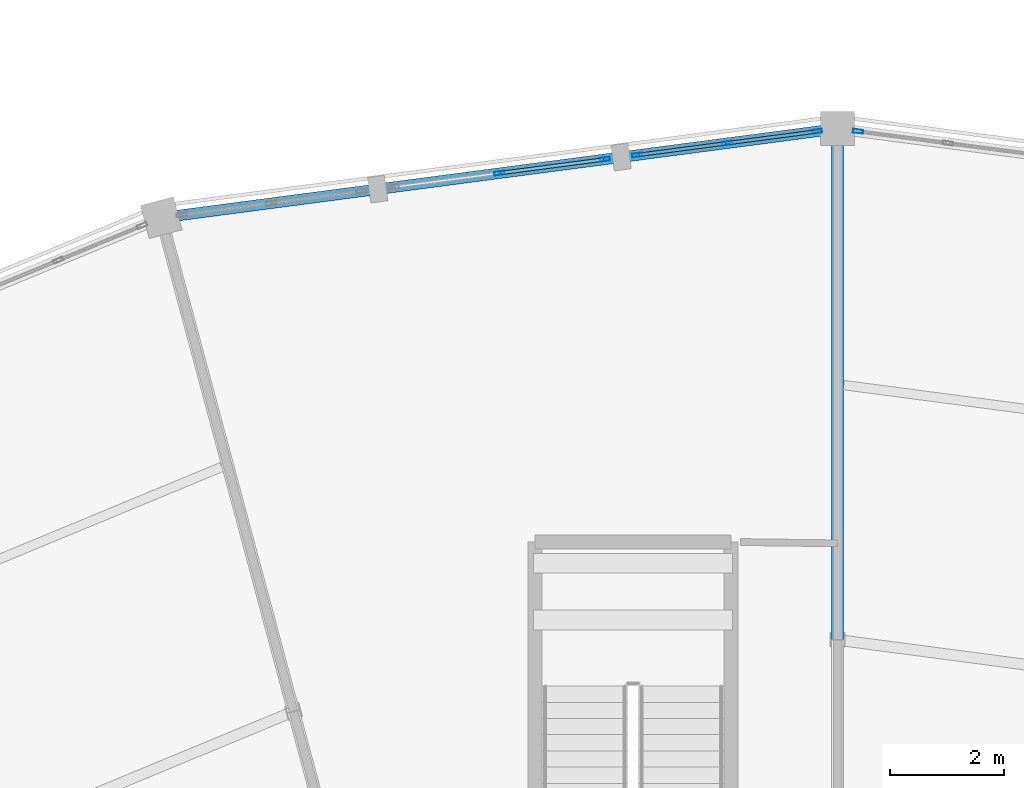
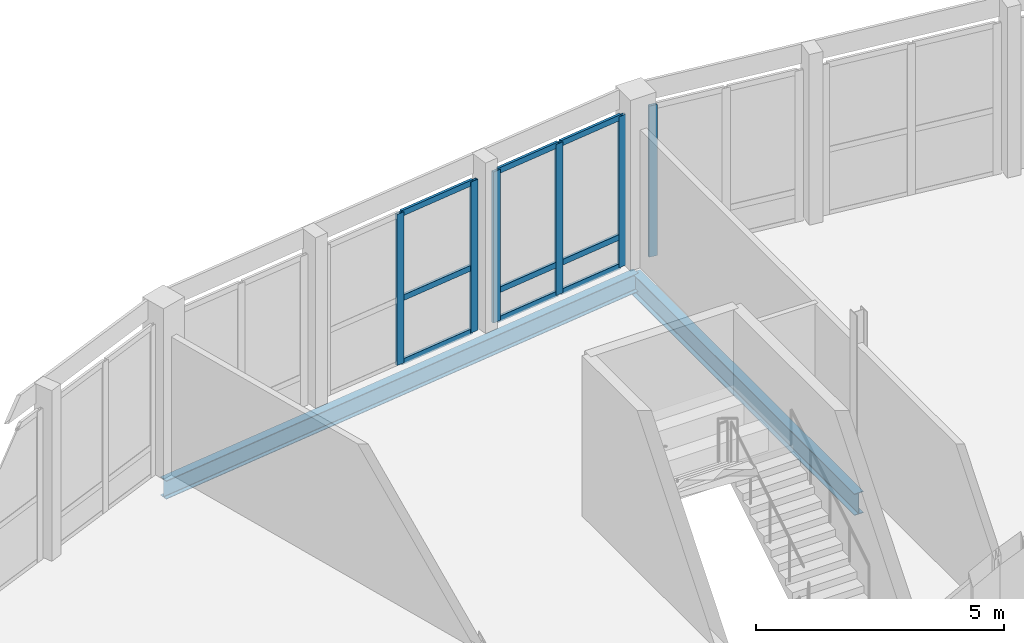
# One storey, part 94 of 185: 15 members, 2 beams, 3 elements without a shape of their own.
"""IFC4 building model written with IfcOpenShell, lengths in metres."""

import ifcopenshell
import ifcopenshell.guid

model = None  # the IFC model being written
_history = None  # IfcOwnerHistory: only IFC2X3 demands one
_inside = {}  # id of a spatial element -> (the spatial element, [elements in it])
_under = {}  # id of a project, library or spatial element -> (it, [spatial elements below it])
_declared = {}  # id of a project -> (the project, [libraries it declares])
_typed = {}  # id of a type object -> (the type object, [elements of that type])
_made_of = {}  # id of a material, layer set ... -> (it, [elements and type objects made of it])


def new_model(schema):
    """Start an empty IFC model of exactly this schema.

    Asked for "IFC4X3", IfcOpenShell would pick the latest addendum, in which some entities
    have other attributes; the version numbers below select the first issue.
    IFC2X3 requires an IfcOwnerHistory on every rooted entity: one is made here for all.
    """
    global model, _history
    if schema == "IFC4X3":
        model = ifcopenshell.file(schema_version=(4, 3, 0, 0))
    else:
        model = ifcopenshell.file(schema=schema)
    _inside.clear()
    _under.clear()
    _declared.clear()
    _typed.clear()
    _made_of.clear()
    _history = None
    if model.schema == "IFC2X3":
        org = make("IfcOrganization", Name="unknown")
        user = make(
            "IfcPersonAndOrganization",
            ThePerson=make("IfcPerson", FamilyName="unknown"),
            TheOrganization=org,
        )
        app = make(
            "IfcApplication",
            ApplicationDeveloper=org,
            Version="unknown",
            ApplicationFullName="unknown",
            ApplicationIdentifier="unknown",
        )
        _history = make(
            "IfcOwnerHistory",
            OwningUser=user,
            OwningApplication=app,
            ChangeAction="ADDED",
            CreationDate=0,
        )
    return model


def make(cls, **values):
    """One entity of the class cls with the attributes given. An attribute that is None is left unset."""
    return model.create_entity(
        cls, **{name: value for name, value in values.items() if value is not None}
    )


def rooted(cls, **values):
    """An entity with a GlobalId (a new one), such as an element, a storey or a relation."""
    return make(cls, GlobalId=ifcopenshell.guid.new(), OwnerHistory=_history, **values)


def si_unit(unit_type, name, prefix=None):
    """IfcSIUnit, for example si_unit("LENGTHUNIT", "METRE", prefix="MILLI")."""
    return make("IfcSIUnit", UnitType=unit_type, Prefix=prefix, Name=name)


def assignment(units):
    """IfcUnitAssignment: the units of a project."""
    return None if units is None else make("IfcUnitAssignment", Units=units)


def point(xyz):
    """IfcCartesianPoint."""
    return None if xyz is None else make("IfcCartesianPoint", Coordinates=xyz)


def direction(xyz):
    """IfcDirection."""
    return None if xyz is None else make("IfcDirection", DirectionRatios=xyz)


def frame(location, z_axis=None, x_axis=None):
    """IfcAxis2Placement3D, a coordinate frame: its origin and axes. An axis left out is left unset."""
    return make(
        "IfcAxis2Placement3D",
        Location=point(location),
        Axis=direction(z_axis),
        RefDirection=direction(x_axis),
    )


def frame_2d(location, x_axis=None):
    """IfcAxis2Placement2D, a coordinate frame in the plane: its origin and x axis."""
    return make(
        "IfcAxis2Placement2D", Location=point(location), RefDirection=direction(x_axis)
    )


def origin():
    """The frame at (0, 0, 0) with its axes left unset."""
    return frame((0.0, 0.0, 0.0))


def origin_2d():
    """The frame at (0, 0) in the plane with its x axis left unset."""
    return frame_2d((0.0, 0.0))


def place(relative_to, where):
    """IfcLocalPlacement: puts the frame where relative to a parent placement (None: the world)."""
    return make(
        "IfcLocalPlacement", PlacementRelTo=relative_to, RelativePlacement=where
    )


def context(
    kind, dimensions, precision=None, world=None, true_north=None, identifier=None
):
    """IfcGeometricRepresentationContext, for example the 3D "Model" context."""
    return make(
        "IfcGeometricRepresentationContext",
        ContextIdentifier=identifier,
        ContextType=kind,
        CoordinateSpaceDimension=dimensions,
        Precision=precision,
        WorldCoordinateSystem=world,
        TrueNorth=true_north,
    )


def subcontext(parent, identifier, kind, view, scale=None):
    """IfcGeometricRepresentationSubContext, for example "Body" below "Model"."""
    return make(
        "IfcGeometricRepresentationSubContext",
        ContextIdentifier=identifier,
        ContextType=kind,
        ParentContext=parent,
        TargetScale=scale,
        TargetView=view,
    )


def project(units=None, contexts=None):
    """IfcProject with its units and contexts."""
    return rooted(
        "IfcProject",
        Name="project",
        RepresentationContexts=contexts,
        UnitsInContext=assignment(units),
    )


def spatial(cls, under=None, at=None, **own):
    """A site, building, storey or space (cls), placed at a placement, below another one or the project."""
    s = rooted(cls, ObjectPlacement=at, **own)
    if under is not None:
        _under.setdefault(under.id(), (under, []))[1].append(s)
    return s


def profile(cls, at=None, kind="AREA", **sizes):
    """A parametric profile (cls). Its sizes go by their IFC names, for example OverallWidth=200.0."""
    return make(cls, ProfileType=kind, Position=at, **sizes)


def hollow_rectangle(**sizes):
    """IfcRectangleHollowProfileDef."""
    return profile("IfcRectangleHollowProfileDef", **sizes)


def i_section(**sizes):
    """IfcIShapeProfileDef."""
    return profile("IfcIShapeProfileDef", **sizes)


def extrude(swept, where, along, depth):
    """IfcExtrudedAreaSolid: the profile swept, set in the frame where, extruded along a direction by depth."""
    return make(
        "IfcExtrudedAreaSolid",
        SweptArea=swept,
        Position=where,
        ExtrudedDirection=direction(along),
        Depth=depth,
    )


def shape(context_of_items, identifier, shape_type, items):
    """IfcShapeRepresentation: the items that make up one representation, for example the "Body"."""
    return make(
        "IfcShapeRepresentation",
        ContextOfItems=context_of_items,
        RepresentationIdentifier=identifier,
        RepresentationType=shape_type,
        Items=items,
    )


def material(Name=None, Category=None):
    """IfcMaterial."""
    return make("IfcMaterial", Name=Name, Category=Category)


def material_profile(
    of_material, cross_section, Name=None, Category=None, Priority=None
):
    """IfcMaterialProfile: a cross section and its material."""
    return make(
        "IfcMaterialProfile",
        Name=Name,
        Material=of_material,
        Profile=cross_section,
        Priority=Priority,
        Category=Category,
    )


def profile_set(profiles, Name=None, composite=None):
    """IfcMaterialProfileSet."""
    return make(
        "IfcMaterialProfileSet",
        Name=Name,
        MaterialProfiles=profiles,
        CompositeProfile=composite,
    )


def made_of(thing, what):
    """Note that an element or type object is made of a material, layer set ...; save() writes the relation."""
    if what is not None:
        _made_of.setdefault(what.id(), (what, []))[1].append(thing)
    return thing


def type_object(cls, material=None, **own):
    """A type object (cls), such as IfcWallType, which elements share."""
    return made_of(rooted(cls, **own), material)


def element(
    cls,
    number,
    at=None,
    inside=None,
    cuts=None,
    type_object=None,
    material=None,
    context=None,
    identifier="Body",
    shape_type=None,
    held_by="IfcProductDefinitionShape",
    body=None,
    shapes=None,
    **own,
):
    """One element of the class cls, such as IfcWall. Its Tag is "e" and its number.

    at: its placement. inside: the storey or other place that contains it. cuts: it is an
    opening in that element (IfcRelVoidsElement). A single representation is given by context,
    identifier, shape_type and body (its items); several are given by shapes. held_by: the class
    of the entity that holds the representations. save() writes the other relations.
    """
    e = rooted(cls, Tag="e%d" % number, ObjectPlacement=at, **own)
    if body is not None:
        shapes = [shape(context, identifier, shape_type, body)]
    if shapes is not None:
        e.Representation = make(held_by, Representations=shapes)
    if inside is not None:
        _inside.setdefault(inside.id(), (inside, []))[1].append(e)
    if cuts is not None:
        rooted(
            "IfcRelVoidsElement", RelatingBuildingElement=cuts, RelatedOpeningElement=e
        )
    if type_object is not None:
        _typed.setdefault(type_object.id(), (type_object, []))[1].append(e)
    return made_of(e, material)


def aggregate(whole, parts):
    """IfcRelAggregates: a whole, such as a stair, and the parts it consists of."""
    return rooted("IfcRelAggregates", RelatingObject=whole, RelatedObjects=parts)


def save(model, path):
    """Write the relations noted so far, then the file.

    IfcRelAggregates (storeys below a building ...), IfcRelContainedInSpatialStructure (elements
    in a storey), IfcRelDefinesByType, IfcRelAssociatesMaterial and IfcRelDeclares: one each for
    every whole, place, type object, material and project.
    """
    for whole, parts in _under.values():
        aggregate(whole, parts)
    for where, things in _inside.values():
        rooted(
            "IfcRelContainedInSpatialStructure",
            RelatedElements=things,
            RelatingStructure=where,
        )
    for kind, things in _typed.values():
        rooted("IfcRelDefinesByType", RelatedObjects=things, RelatingType=kind)
    for what, things in _made_of.values():
        rooted("IfcRelAssociatesMaterial", RelatedObjects=things, RelatingMaterial=what)
    for by, libraries in _declared.values():
        rooted("IfcRelDeclares", RelatingContext=by, RelatedDefinitions=libraries)
    model.write(path)


model = new_model("IFC4")

# Units and contexts
model_context = context("Model", 3, precision=1e-05, world=origin(), true_north=direction((0.0, 1.0)))
body_context = subcontext(model_context, "Body", "Model", "MODEL_VIEW")
ifc_project = project(units=[si_unit("LENGTHUNIT", "METRE"), si_unit("AREAUNIT", "SQUARE_METRE"), si_unit("VOLUMEUNIT", "CUBIC_METRE"), si_unit("PLANEANGLEUNIT", "RADIAN"), si_unit("MASSUNIT", "GRAM", prefix="KILO")], contexts=[model_context])

# Site, building, storey
site_placement = place(None, origin())
site = spatial("IfcSite", under=ifc_project, at=site_placement, CompositionType="ELEMENT")
building_placement = place(site_placement, origin())
building = spatial("IfcBuilding", under=site, at=building_placement, Name="Vondelvale Polytechnic", CompositionType="ELEMENT")
storey_placement = place(building_placement, frame((0.0, 0.0, 9.60009765625)))
storey = spatial("IfcBuildingStorey", under=building, at=storey_placement, Name="L02", CompositionType="ELEMENT", Elevation=9.60009765625)

# Beams
ifc_material_1 = material(Name="Steel 300PLUS (fy = 300 MPa)", Category="steel")
ifc_material_profile_1 = material_profile(ifc_material_1, i_section(OverallWidth=0.18994140625, OverallDepth=0.45703125, WebThickness=0.009033203125, FlangeThickness=0.014404296875, FilletRadius=0.011474609375, at=origin_2d()), Name="460UB74.6")
ifc_profile_set_1 = profile_set([ifc_material_profile_1], Name="Steel 300PLUS (fy = 300 MPa)")
beam_type_1 = type_object("IfcBeamType", Name="BM-UB460", PredefinedType="BEAM", material=ifc_profile_set_1)
beam_1_placement = place(storey_placement, frame((102.0, 118.0, -0.508544921875), z_axis=(-0.991445297315, -0.130522880875, 0.0), x_axis=(0.130522880875, -0.991445297315, 0.0)))
element("IfcBeam", 1, at=beam_1_placement, inside=storey, type_object=beam_type_1, Name="L02 RB B-13", PredefinedType="BEAM", context=body_context, shape_type="SweptSolid", body=[
    extrude(i_section(OverallWidth=0.18994140625, OverallDepth=0.45703125, WebThickness=0.009033203125, FlangeThickness=0.014404296875, FilletRadius=0.011474609375, at=origin_2d()), origin(), (0.0, 0.0, 1.0), 12.008544921875),
])
ifc_material_profile_2 = material_profile(ifc_material_1, i_section(OverallWidth=0.208984375, OverallDepth=0.532958984375, WebThickness=0.01025390625, FlangeThickness=0.015625, FilletRadius=0.013916015625, at=origin_2d()), Name="530UB92.4")
ifc_profile_set_2 = profile_set([ifc_material_profile_2], Name="Steel 300PLUS (fy = 300 MPa)")
beam_type_2 = type_object("IfcBeamType", Name="BM-UB530", PredefinedType="BEAM", material=ifc_profile_set_2)
beam_2_placement = place(storey_placement, frame((102.0, 109.0, -0.546630859375), z_axis=(0.0, 1.0, 0.0), x_axis=(-1.0, 0.0, 0.0)))
element("IfcBeam", 2, at=beam_2_placement, inside=storey, type_object=beam_type_2, Name="L02 RG B-11", PredefinedType="BEAM", context=body_context, shape_type="SweptSolid", body=[
    extrude(i_section(OverallWidth=0.208984375, OverallDepth=0.532958984375, WebThickness=0.01025390625, FlangeThickness=0.015625, FilletRadius=0.013916015625, at=origin_2d()), origin(), (0.0, 0.0, 1.0), 9.0),
])

# Curtain wall, member
ifc_material_2 = material(Name="Glulam GL18 structural Tasmanian oak (fb = 42 MPa)", Category="wood")
curtain_wall_type = type_object("IfcCurtainWallType", Name="CW-RING-OUTER", PredefinedType="NOTDEFINED", material=ifc_material_2)
curtain_wall_1_placement = place(storey_placement, origin())
curtain_wall_1 = element("IfcCurtainWall", 3, at=curtain_wall_1_placement, inside=storey, type_object=curtain_wall_type, Name="L02 architectural curtain wall CW-04-142", PredefinedType="NOTDEFINED")
ifc_material_3 = material(Name="Anodised extruded aluminium 6063-T6", Category="aluminium")
ifc_material_profile_3 = material_profile(ifc_material_3, hollow_rectangle(XDim=0.06494140625, YDim=0.179931640625, WallThickness=0.00390625, at=origin_2d()), Name="CW-MUL-180x65")
ifc_profile_set_3 = profile_set([ifc_material_profile_3], Name="Anodised extruded aluminium 6063-T6")
member_type_1 = type_object("IfcMemberType", Name="CW-MUL-65x180", PredefinedType="MULLION", material=ifc_profile_set_3)
member_1_placement = place(storey_placement, frame((102.362060546875, 117.952392578125, 0.0), z_axis=(0.0, 0.0, 1.0), x_axis=(-0.130539547729, -0.991443102996, 0.0)))
member_1 = element("IfcMember", 4, at=member_1_placement, type_object=member_type_1, Name="CW-04-142 mullion 3", PredefinedType="MULLION", context=body_context, shape_type="SweptSolid", body=[
    extrude(hollow_rectangle(XDim=0.06494140625, YDim=0.179931640625, WallThickness=0.00390625, at=origin_2d()), origin(), (0.0, 0.0, 1.0), 3.719970703125),
])
aggregate(curtain_wall_1, [member_1])

# Curtain wall, members
curtain_wall_2_placement = place(storey_placement, origin())
curtain_wall_2 = element("IfcCurtainWall", 5, at=curtain_wall_2_placement, inside=storey, type_object=curtain_wall_type, Name="L02 architectural curtain wall CW-04-160", PredefinedType="NOTDEFINED")
member_2_placement = place(storey_placement, frame((101.637939453125, 117.952392578125, 0.0), z_axis=(0.0, 0.0, 1.0), x_axis=(0.130539547729, -0.991443102996, 0.0)))
member_2 = element("IfcMember", 6, at=member_2_placement, type_object=member_type_1, Name="CW-04-160 mullion 1", PredefinedType="MULLION", context=body_context, shape_type="SweptSolid", body=[
    extrude(hollow_rectangle(XDim=0.06494140625, YDim=0.179931640625, WallThickness=0.00390625, at=origin_2d()), origin(), (0.0, 0.0, 1.0), 3.719970703125),
])
member_3_placement = place(storey_placement, frame((100.056640625, 117.744140625, 0.0), z_axis=(0.0, 0.0, 1.0), x_axis=(0.130539547729, -0.991443102996, 0.0)))
member_3 = element("IfcMember", 7, at=member_3_placement, type_object=member_type_1, Name="CW-04-160 mullion 2", PredefinedType="MULLION", context=body_context, shape_type="SweptSolid", body=[
    extrude(hollow_rectangle(XDim=0.06494140625, YDim=0.179931640625, WallThickness=0.00390625, at=origin_2d()), origin(), (0.0, 0.0, 1.0), 3.719970703125),
])
member_4_placement = place(storey_placement, frame((98.475341796875, 117.535888671875, 0.0), z_axis=(0.0, 0.0, 1.0), x_axis=(0.130539547729, -0.991443102996, 0.0)))
member_4 = element("IfcMember", 8, at=member_4_placement, type_object=member_type_1, Name="CW-04-160 mullion 3", PredefinedType="MULLION", context=body_context, shape_type="SweptSolid", body=[
    extrude(hollow_rectangle(XDim=0.06494140625, YDim=0.179931640625, WallThickness=0.00390625, at=origin_2d()), origin(), (0.0, 0.0, 1.0), 3.719970703125),
])

curtain_wall_3_placement = place(storey_placement, origin())
curtain_wall_3 = element("IfcCurtainWall", 9, at=curtain_wall_3_placement, inside=storey, type_object=curtain_wall_type, Name="L02 architectural curtain wall CW-04-161", PredefinedType="NOTDEFINED")
member_5_placement = place(storey_placement, frame((97.9052734375, 117.4609375, 0.0), z_axis=(0.0, 0.0, 1.0), x_axis=(0.130497251349, -0.991448671082, 0.0)))
member_5 = element("IfcMember", 10, at=member_5_placement, type_object=member_type_1, Name="CW-04-161 mullion 1", PredefinedType="MULLION", context=body_context, shape_type="SweptSolid", body=[
    extrude(hollow_rectangle(XDim=0.06494140625, YDim=0.179931640625, WallThickness=0.00390625, at=origin_2d()), origin(), (0.0, 0.0, 1.0), 3.719970703125),
])
member_6_placement = place(storey_placement, frame((96.047119140625, 117.21630859375, 0.0), z_axis=(0.0, 0.0, 1.0), x_axis=(0.130497251349, -0.991448671082, 0.0)))
member_6 = element("IfcMember", 11, at=member_6_placement, type_object=member_type_1, Name="CW-04-161 mullion 2", PredefinedType="MULLION", context=body_context, shape_type="SweptSolid", body=[
    extrude(hollow_rectangle(XDim=0.06494140625, YDim=0.179931640625, WallThickness=0.00390625, at=origin_2d()), origin(), (0.0, 0.0, 1.0), 3.719970703125),
])

# Member
ifc_material_profile_4 = material_profile(ifc_material_3, hollow_rectangle(XDim=0.06005859375, YDim=0.139892578125, WallThickness=0.00341796875, at=origin_2d()), Name="CW-TRN-140x60")
ifc_profile_set_4 = profile_set([ifc_material_profile_4], Name="Anodised extruded aluminium 6063-T6")
member_type_2 = type_object("IfcMemberType", Name="CW-TRN-60x140", PredefinedType="USERDEFINED", material=ifc_profile_set_4)
member_7_placement = place(storey_placement, frame((101.605712890625, 117.947998046875, 0.02978515625), z_axis=(-0.991443972703, -0.130532942165, 0.0), x_axis=(0.130532942165, -0.991443972703, 0.0)))
member_7 = element("IfcMember", 12, at=member_7_placement, type_object=member_type_2, Name="CW-04-160 transom 1.1", ObjectType="TRANSOM", PredefinedType="USERDEFINED", context=body_context, shape_type="SweptSolid", body=[
    extrude(hollow_rectangle(XDim=0.06005859375, YDim=0.139892578125, WallThickness=0.00341796875, at=origin_2d()), origin(), (0.0, 0.0, 1.0), 1.530029296875),
])

member_8_placement = place(storey_placement, frame((101.605712890625, 117.947998046875, 0.75), z_axis=(-0.991443972703, -0.130532942165, 0.0), x_axis=(0.130532942165, -0.991443972703, 0.0)))
member_8 = element("IfcMember", 13, at=member_8_placement, type_object=member_type_2, Name="CW-04-160 transom 1.2", ObjectType="TRANSOM", PredefinedType="USERDEFINED", context=body_context, shape_type="SweptSolid", body=[
    extrude(hollow_rectangle(XDim=0.06005859375, YDim=0.139892578125, WallThickness=0.00341796875, at=origin_2d()), origin(), (0.0, 0.0, 1.0), 1.530029296875),
])

member_9_placement = place(storey_placement, frame((101.605712890625, 117.947998046875, 3.68994140625), z_axis=(-0.991443972703, -0.130532942165, 0.0), x_axis=(0.130532942165, -0.991443972703, 0.0)))
member_9 = element("IfcMember", 14, at=member_9_placement, type_object=member_type_2, Name="CW-04-160 transom 1.3", ObjectType="TRANSOM", PredefinedType="USERDEFINED", context=body_context, shape_type="SweptSolid", body=[
    extrude(hollow_rectangle(XDim=0.06005859375, YDim=0.139892578125, WallThickness=0.00341796875, at=origin_2d()), origin(), (0.0, 0.0, 1.0), 1.530029296875),
])

member_10_placement = place(storey_placement, frame((100.0244140625, 117.739990234375, 0.02978515625), z_axis=(-0.991446691045, -0.130512293736, 0.0), x_axis=(0.130512293736, -0.991446691045, 0.0)))
member_10 = element("IfcMember", 15, at=member_10_placement, type_object=member_type_2, Name="CW-04-160 transom 2.1", ObjectType="TRANSOM", PredefinedType="USERDEFINED", context=body_context, shape_type="SweptSolid", body=[
    extrude(hollow_rectangle(XDim=0.06005859375, YDim=0.139892578125, WallThickness=0.00341796875, at=origin_2d()), origin(), (0.0, 0.0, 1.0), 1.5302734375),
])

member_11_placement = place(storey_placement, frame((100.0244140625, 117.739990234375, 0.75), z_axis=(-0.991446691045, -0.130512293736, 0.0), x_axis=(0.130512293736, -0.991446691045, 0.0)))
member_11 = element("IfcMember", 16, at=member_11_placement, type_object=member_type_2, Name="CW-04-160 transom 2.2", ObjectType="TRANSOM", PredefinedType="USERDEFINED", context=body_context, shape_type="SweptSolid", body=[
    extrude(hollow_rectangle(XDim=0.06005859375, YDim=0.139892578125, WallThickness=0.00341796875, at=origin_2d()), origin(), (0.0, 0.0, 1.0), 1.5302734375),
])

member_12_placement = place(storey_placement, frame((100.0244140625, 117.739990234375, 3.68994140625), z_axis=(-0.991446691045, -0.130512293736, 0.0), x_axis=(0.130512293736, -0.991446691045, 0.0)))
member_12 = element("IfcMember", 17, at=member_12_placement, type_object=member_type_2, Name="CW-04-160 transom 2.3", ObjectType="TRANSOM", PredefinedType="USERDEFINED", context=body_context, shape_type="SweptSolid", body=[
    extrude(hollow_rectangle(XDim=0.06005859375, YDim=0.139892578125, WallThickness=0.00341796875, at=origin_2d()), origin(), (0.0, 0.0, 1.0), 1.5302734375),
])

aggregate(curtain_wall_2, [member_2, member_3, member_4, member_7, member_8, member_9, member_10, member_11, member_12])

member_13_placement = place(storey_placement, frame((97.873046875, 117.45654296875, 0.02978515625), z_axis=(-0.991449242357, -0.130492911033, 0.0), x_axis=(0.130492911033, -0.991449242357, 0.0)))
member_13 = element("IfcMember", 18, at=member_13_placement, type_object=member_type_2, Name="CW-04-161 transom 1.1", ObjectType="TRANSOM", PredefinedType="USERDEFINED", context=body_context, shape_type="SweptSolid", body=[
    extrude(hollow_rectangle(XDim=0.06005859375, YDim=0.139892578125, WallThickness=0.00341796875, at=origin_2d()), origin(), (0.0, 0.0, 1.0), 1.80908203125),
])

member_14_placement = place(storey_placement, frame((97.873046875, 117.45654296875, 1.599853515625), z_axis=(-0.991449242357, -0.130492911033, 0.0), x_axis=(0.130492911033, -0.991449242357, 0.0)))
member_14 = element("IfcMember", 19, at=member_14_placement, type_object=member_type_2, Name="CW-04-161 transom 1.2", ObjectType="TRANSOM", PredefinedType="USERDEFINED", context=body_context, shape_type="SweptSolid", body=[
    extrude(hollow_rectangle(XDim=0.06005859375, YDim=0.139892578125, WallThickness=0.00341796875, at=origin_2d()), origin(), (0.0, 0.0, 1.0), 1.80908203125),
])

member_15_placement = place(storey_placement, frame((97.873046875, 117.45654296875, 3.68994140625), z_axis=(-0.991449242357, -0.130492911033, 0.0), x_axis=(0.130492911033, -0.991449242357, 0.0)))
member_15 = element("IfcMember", 20, at=member_15_placement, type_object=member_type_2, Name="CW-04-161 transom 1.3", ObjectType="TRANSOM", PredefinedType="USERDEFINED", context=body_context, shape_type="SweptSolid", body=[
    extrude(hollow_rectangle(XDim=0.06005859375, YDim=0.139892578125, WallThickness=0.00341796875, at=origin_2d()), origin(), (0.0, 0.0, 1.0), 1.80908203125),
])

aggregate(curtain_wall_3, [member_5, member_6, member_13, member_14, member_15])

save(model, "model.ifc")
